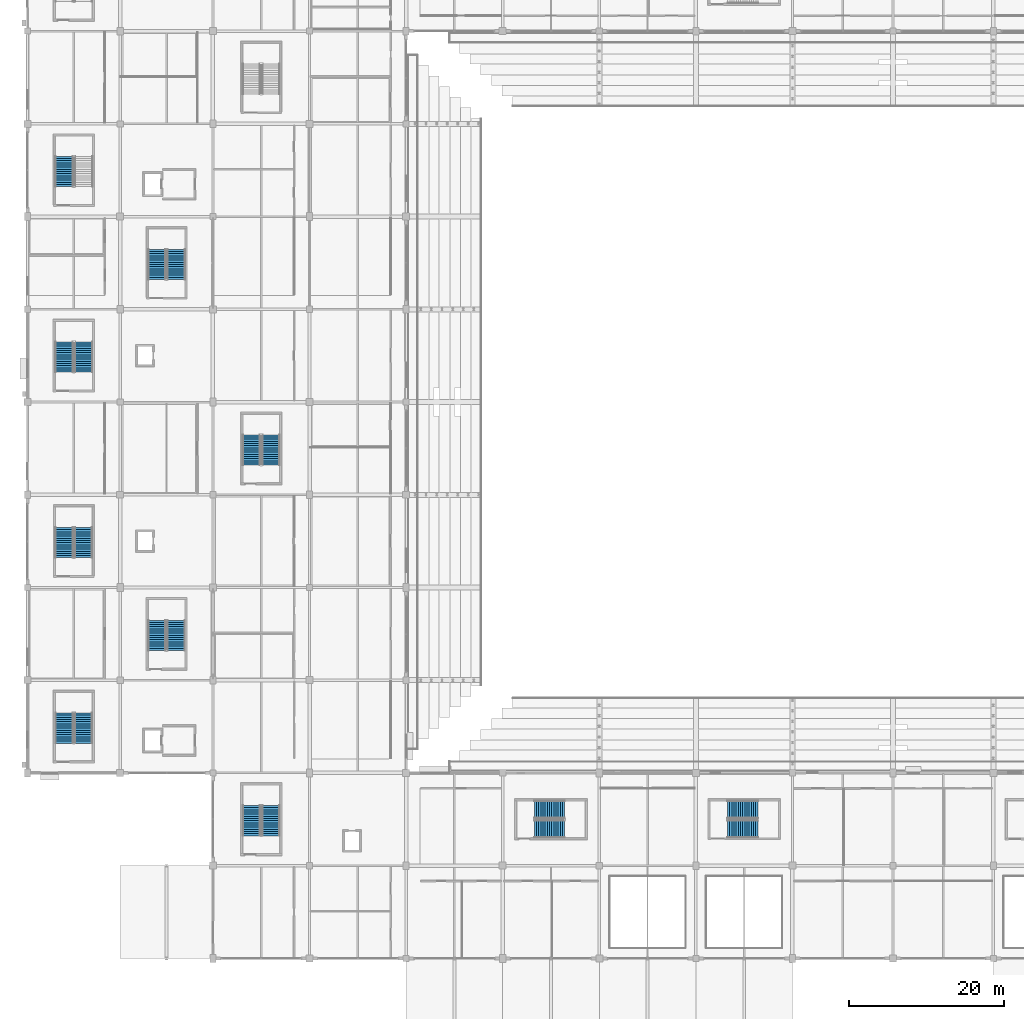
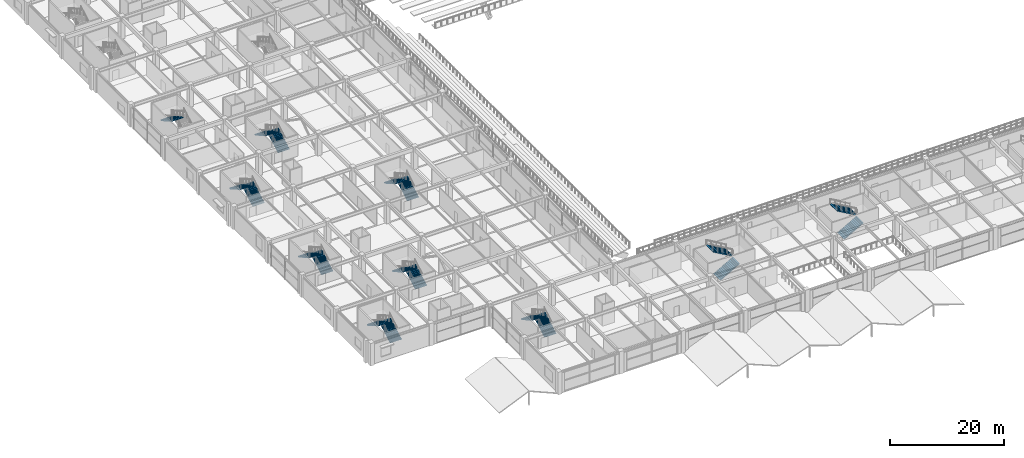
# One storey, part 94 of 134: 19 stair flights, 10 elements without a shape of their own.
"""IFC4 building model written with IfcOpenShell, lengths in metres."""

from ifc_helpers import new_model, si_unit, direction, frame, origin, place, context, subcontext, project, spatial, polyline, outline, extrude, material, type_object, element, aggregate, save


model = new_model("IFC4")

# Units and contexts
model_context = context("Model", 3, precision=1e-05, world=origin(), true_north=direction((0.0, 1.0)))
body_context = subcontext(model_context, "Body", "Model", "MODEL_VIEW")
ifc_project = project(units=[si_unit("LENGTHUNIT", "METRE"), si_unit("AREAUNIT", "SQUARE_METRE"), si_unit("VOLUMEUNIT", "CUBIC_METRE"), si_unit("PLANEANGLEUNIT", "RADIAN"), si_unit("MASSUNIT", "GRAM", prefix="KILO")], contexts=[model_context])

# Site, building, storey
site_placement = place(None, origin())
site = spatial("IfcSite", under=ifc_project, at=site_placement, CompositionType="ELEMENT")
building_placement = place(site_placement, origin())
building = spatial("IfcBuilding", under=site, at=building_placement, Name="Kazenohara Klinker Stadium", CompositionType="ELEMENT")
storey_placement = place(building_placement, frame((0.0, 0.0, 5.39990234375)))
storey = spatial("IfcBuildingStorey", under=building, at=storey_placement, Name="L01", CompositionType="ELEMENT", Elevation=5.39990234375)

# Stair, stair flights
ifc_material = material(Name="Concrete C40/50", Category="concrete")
stair_type_1 = type_object("IfcStairType", Name="STR-DL-2300", PredefinedType="HALF_TURN_STAIR", material=ifc_material)
stair_1_placement = place(storey_placement, origin())
stair_1 = element("IfcStair", 1, at=stair_1_placement, inside=storey, type_object=stair_type_1, Name="L01 Enclosed escape stair ST01", PredefinedType="HALF_TURN_STAIR")
stair_flight_type_1 = type_object("IfcStairFlightType", Name="FLT-DL-2300-4800", PredefinedType="STRAIGHT", material=ifc_material)
stair_flight_1_placement = place(storey_placement, frame((7.25, 39.840087890625, 0.0), z_axis=(0.0, 0.0, 1.0), x_axis=(0.0, 1.0, 0.0)))
stair_flight_1 = element("IfcStairFlight", 2, at=stair_flight_1_placement, type_object=stair_flight_type_1, Name="ST01 flight 1", NumberOfRisers=15, NumberOfTreads=14, PredefinedType="STRAIGHT", RiserHeight=0.16, TreadLength=0.28, context=body_context, shape_type="SweptSolid", body=[
    extrude(outline(polyline([(0.0, 0.0), (0.0, 0.159912109375), (0.280029296875, 0.159912109375), (0.280029296875, 0.320068359375), (0.56005859375, 0.320068359375), (0.56005859375, 0.47998046875), (0.840087890625, 0.47998046875), (0.840087890625, 0.639892578125), (1.1201171875, 0.639892578125), (1.1201171875, 0.800048828125), (1.39990234375, 0.800048828125), (1.39990234375, 0.9599609375), (1.679931640625, 0.9599609375), (1.679931640625, 1.1201171875), (1.9599609375, 1.1201171875), (1.9599609375, 1.280029296875), (2.239990234375, 1.280029296875), (2.239990234375, 1.43994140625), (2.52001953125, 1.43994140625), (2.52001953125, 1.60009765625), (2.800048828125, 1.60009765625), (2.800048828125, 1.760009765625), (3.080078125, 1.760009765625), (3.080078125, 1.919921875), (3.360107421875, 1.919921875), (3.360107421875, 2.080078125), (3.639892578125, 2.080078125), (3.639892578125, 2.239990234375), (3.919921875, 2.239990234375), (3.919921875, 2.39990234375), (3.919921875, 2.0673828125), (0.30224609375, 0.0), (0.0, 0.0)])), frame((0.0, 1.14990234375, 0.0), z_axis=(0.0, -1.0, 0.0), x_axis=(1.0, 0.0, 0.0)), (0.0, 0.0, 1.0), 2.300048828125),
])
stair_flight_2_placement = place(storey_placement, frame((4.75, 43.760009765625, 2.400146484375), z_axis=(0.0, 0.0, 1.0), x_axis=(0.0, -1.0, 0.0)))
stair_flight_2 = element("IfcStairFlight", 3, at=stair_flight_2_placement, type_object=stair_flight_type_1, Name="ST01 flight 2", NumberOfRisers=15, NumberOfTreads=14, PredefinedType="STRAIGHT", RiserHeight=0.16, TreadLength=0.28, context=body_context, shape_type="SweptSolid", body=[
    extrude(outline(polyline([(0.0, 0.0), (0.0, 0.159912109375), (0.280029296875, 0.159912109375), (0.280029296875, 0.320068359375), (0.56005859375, 0.320068359375), (0.56005859375, 0.47998046875), (0.840087890625, 0.47998046875), (0.840087890625, 0.639892578125), (1.1201171875, 0.639892578125), (1.1201171875, 0.800048828125), (1.39990234375, 0.800048828125), (1.39990234375, 0.9599609375), (1.679931640625, 0.9599609375), (1.679931640625, 1.1201171875), (1.9599609375, 1.1201171875), (1.9599609375, 1.280029296875), (2.239990234375, 1.280029296875), (2.239990234375, 1.43994140625), (2.52001953125, 1.43994140625), (2.52001953125, 1.60009765625), (2.800048828125, 1.60009765625), (2.800048828125, 1.760009765625), (3.080078125, 1.760009765625), (3.080078125, 1.919921875), (3.360107421875, 1.919921875), (3.360107421875, 2.080078125), (3.639892578125, 2.080078125), (3.639892578125, 2.239990234375), (3.919921875, 2.239990234375), (3.919921875, 2.39990234375), (3.919921875, 2.0673828125), (0.30224609375, 0.0), (0.0, 0.0)])), frame((0.0, 1.14990234375, 0.0), z_axis=(0.0, -1.0, 0.0), x_axis=(1.0, 0.0, 0.0)), (0.0, 0.0, 1.0), 2.300048828125),
])
aggregate(stair_1, [stair_flight_1, stair_flight_2])

stair_2_placement = place(storey_placement, origin())
stair_2 = element("IfcStair", 4, at=stair_2_placement, inside=storey, type_object=stair_type_1, Name="L01 Enclosed escape stair ST13", PredefinedType="HALF_TURN_STAIR")
stair_flight_3_placement = place(storey_placement, frame((19.25, 51.840087890625, 0.0), z_axis=(0.0, 0.0, 1.0), x_axis=(0.0, 1.0, 0.0)))
stair_flight_3 = element("IfcStairFlight", 5, at=stair_flight_3_placement, type_object=stair_flight_type_1, Name="ST13 flight 1", NumberOfRisers=15, NumberOfTreads=14, PredefinedType="STRAIGHT", RiserHeight=0.16, TreadLength=0.28, context=body_context, shape_type="SweptSolid", body=[
    extrude(outline(polyline([(0.0, 0.0), (0.0, 0.159912109375), (0.280029296875, 0.159912109375), (0.280029296875, 0.320068359375), (0.56005859375, 0.320068359375), (0.56005859375, 0.47998046875), (0.840087890625, 0.47998046875), (0.840087890625, 0.639892578125), (1.1201171875, 0.639892578125), (1.1201171875, 0.800048828125), (1.39990234375, 0.800048828125), (1.39990234375, 0.9599609375), (1.679931640625, 0.9599609375), (1.679931640625, 1.1201171875), (1.9599609375, 1.1201171875), (1.9599609375, 1.280029296875), (2.239990234375, 1.280029296875), (2.239990234375, 1.43994140625), (2.52001953125, 1.43994140625), (2.52001953125, 1.60009765625), (2.800048828125, 1.60009765625), (2.800048828125, 1.760009765625), (3.080078125, 1.760009765625), (3.080078125, 1.919921875), (3.360107421875, 1.919921875), (3.360107421875, 2.080078125), (3.639892578125, 2.080078125), (3.639892578125, 2.239990234375), (3.919921875, 2.239990234375), (3.919921875, 2.39990234375), (3.919921875, 2.0673828125), (0.30224609375, 0.0), (0.0, 0.0)])), frame((0.0, 1.14990234375, 0.0), z_axis=(0.0, -1.0, 0.0), x_axis=(1.0, 0.0, 0.0)), (0.0, 0.0, 1.0), 2.300048828125),
])
stair_flight_4_placement = place(storey_placement, frame((16.75, 55.760009765625, 2.400146484375), z_axis=(0.0, 0.0, 1.0), x_axis=(0.0, -1.0, 0.0)))
stair_flight_4 = element("IfcStairFlight", 6, at=stair_flight_4_placement, type_object=stair_flight_type_1, Name="ST13 flight 2", NumberOfRisers=15, NumberOfTreads=14, PredefinedType="STRAIGHT", RiserHeight=0.16, TreadLength=0.28, context=body_context, shape_type="SweptSolid", body=[
    extrude(outline(polyline([(0.0, 0.0), (0.0, 0.159912109375), (0.280029296875, 0.159912109375), (0.280029296875, 0.320068359375), (0.56005859375, 0.320068359375), (0.56005859375, 0.47998046875), (0.840087890625, 0.47998046875), (0.840087890625, 0.639892578125), (1.1201171875, 0.639892578125), (1.1201171875, 0.800048828125), (1.39990234375, 0.800048828125), (1.39990234375, 0.9599609375), (1.679931640625, 0.9599609375), (1.679931640625, 1.1201171875), (1.9599609375, 1.1201171875), (1.9599609375, 1.280029296875), (2.239990234375, 1.280029296875), (2.239990234375, 1.43994140625), (2.52001953125, 1.43994140625), (2.52001953125, 1.60009765625), (2.800048828125, 1.60009765625), (2.800048828125, 1.760009765625), (3.080078125, 1.760009765625), (3.080078125, 1.919921875), (3.360107421875, 1.919921875), (3.360107421875, 2.080078125), (3.639892578125, 2.080078125), (3.639892578125, 2.239990234375), (3.919921875, 2.239990234375), (3.919921875, 2.39990234375), (3.919921875, 2.0673828125), (0.30224609375, 0.0), (0.0, 0.0)])), frame((0.0, 1.14990234375, 0.0), z_axis=(0.0, -1.0, 0.0), x_axis=(1.0, 0.0, 0.0)), (0.0, 0.0, 1.0), 2.300048828125),
])
aggregate(stair_2, [stair_flight_3, stair_flight_4])

stair_3_placement = place(storey_placement, origin())
stair_3 = element("IfcStair", 7, at=stair_3_placement, inside=storey, type_object=stair_type_1, Name="L01 Enclosed escape stair ST17", PredefinedType="HALF_TURN_STAIR")
stair_flight_5_placement = place(storey_placement, frame((31.5, 75.840087890625, 0.0), z_axis=(0.0, 0.0, 1.0), x_axis=(0.0, 1.0, 0.0)))
stair_flight_5 = element("IfcStairFlight", 8, at=stair_flight_5_placement, type_object=stair_flight_type_1, Name="ST17 flight 1", NumberOfRisers=15, NumberOfTreads=14, PredefinedType="STRAIGHT", RiserHeight=0.16, TreadLength=0.28, context=body_context, shape_type="SweptSolid", body=[
    extrude(outline(polyline([(0.0, 0.0), (0.0, 0.159912109375), (0.280029296875, 0.159912109375), (0.280029296875, 0.320068359375), (0.56005859375, 0.320068359375), (0.56005859375, 0.47998046875), (0.840087890625, 0.47998046875), (0.840087890625, 0.639892578125), (1.1201171875, 0.639892578125), (1.1201171875, 0.800048828125), (1.39990234375, 0.800048828125), (1.39990234375, 0.9599609375), (1.679931640625, 0.9599609375), (1.679931640625, 1.1201171875), (1.9599609375, 1.1201171875), (1.9599609375, 1.280029296875), (2.239990234375, 1.280029296875), (2.239990234375, 1.43994140625), (2.52001953125, 1.43994140625), (2.52001953125, 1.60009765625), (2.800048828125, 1.60009765625), (2.800048828125, 1.760009765625), (3.080078125, 1.760009765625), (3.080078125, 1.919921875), (3.360107421875, 1.919921875), (3.360107421875, 2.080078125), (3.639892578125, 2.080078125), (3.639892578125, 2.239990234375), (3.919921875, 2.239990234375), (3.919921875, 2.39990234375), (3.919921875, 2.0673828125), (0.30224609375, 0.0), (0.0, 0.0)])), frame((0.0, 1.14990234375, 0.0), z_axis=(0.0, -1.0, 0.0), x_axis=(1.0, 0.0, 0.0)), (0.0, 0.0, 1.0), 2.300048828125),
])
stair_flight_6_placement = place(storey_placement, frame((29.0, 79.760009765625, 2.400146484375), z_axis=(0.0, 0.0, 1.0), x_axis=(0.0, -1.0, 0.0)))
stair_flight_6 = element("IfcStairFlight", 9, at=stair_flight_6_placement, type_object=stair_flight_type_1, Name="ST17 flight 2", NumberOfRisers=15, NumberOfTreads=14, PredefinedType="STRAIGHT", RiserHeight=0.16, TreadLength=0.28, context=body_context, shape_type="SweptSolid", body=[
    extrude(outline(polyline([(0.0, 0.0), (0.0, 0.159912109375), (0.280029296875, 0.159912109375), (0.280029296875, 0.320068359375), (0.56005859375, 0.320068359375), (0.56005859375, 0.47998046875), (0.840087890625, 0.47998046875), (0.840087890625, 0.639892578125), (1.1201171875, 0.639892578125), (1.1201171875, 0.800048828125), (1.39990234375, 0.800048828125), (1.39990234375, 0.9599609375), (1.679931640625, 0.9599609375), (1.679931640625, 1.1201171875), (1.9599609375, 1.1201171875), (1.9599609375, 1.280029296875), (2.239990234375, 1.280029296875), (2.239990234375, 1.43994140625), (2.52001953125, 1.43994140625), (2.52001953125, 1.60009765625), (2.800048828125, 1.60009765625), (2.800048828125, 1.760009765625), (3.080078125, 1.760009765625), (3.080078125, 1.919921875), (3.360107421875, 1.919921875), (3.360107421875, 2.080078125), (3.639892578125, 2.080078125), (3.639892578125, 2.239990234375), (3.919921875, 2.239990234375), (3.919921875, 2.39990234375), (3.919921875, 2.0673828125), (0.30224609375, 0.0), (0.0, 0.0)])), frame((0.0, 1.14990234375, 0.0), z_axis=(0.0, -1.0, 0.0), x_axis=(1.0, 0.0, 0.0)), (0.0, 0.0, 1.0), 2.300048828125),
])
aggregate(stair_3, [stair_flight_5, stair_flight_6])

stair_4_placement = place(storey_placement, origin())
stair_4 = element("IfcStair", 10, at=stair_4_placement, inside=storey, type_object=stair_type_1, Name="L01 Enclosed escape stair ST25", PredefinedType="HALF_TURN_STAIR")
stair_flight_7_placement = place(storey_placement, frame((65.590087890625, 28.75, 0.0), z_axis=(0.0, 0.0, 1.0), x_axis=(1.0, 0.0, 0.0)))
stair_flight_7 = element("IfcStairFlight", 11, at=stair_flight_7_placement, type_object=stair_flight_type_1, Name="ST25 flight 1", NumberOfRisers=15, NumberOfTreads=14, PredefinedType="STRAIGHT", RiserHeight=0.16, TreadLength=0.28, context=body_context, shape_type="SweptSolid", body=[
    extrude(outline(polyline([(0.0, 0.0), (0.0, 0.159912109375), (0.280029296875, 0.159912109375), (0.280029296875, 0.320068359375), (0.56005859375, 0.320068359375), (0.56005859375, 0.47998046875), (0.840087890625, 0.47998046875), (0.840087890625, 0.639892578125), (1.1201171875, 0.639892578125), (1.1201171875, 0.800048828125), (1.39990234375, 0.800048828125), (1.39990234375, 0.9599609375), (1.679931640625, 0.9599609375), (1.679931640625, 1.1201171875), (1.9599609375, 1.1201171875), (1.9599609375, 1.280029296875), (2.239990234375, 1.280029296875), (2.239990234375, 1.43994140625), (2.52001953125, 1.43994140625), (2.52001953125, 1.60009765625), (2.800048828125, 1.60009765625), (2.800048828125, 1.760009765625), (3.080078125, 1.760009765625), (3.080078125, 1.919921875), (3.360107421875, 1.919921875), (3.360107421875, 2.080078125), (3.639892578125, 2.080078125), (3.639892578125, 2.239990234375), (3.919921875, 2.239990234375), (3.919921875, 2.39990234375), (3.919921875, 2.0673828125), (0.30224609375, 0.0), (0.0, 0.0)])), frame((0.0, 1.14990234375, 0.0), z_axis=(0.0, -1.0, 0.0), x_axis=(1.0, 0.0, 0.0)), (0.0, 0.0, 1.0), 2.300048828125),
])
stair_flight_8_placement = place(storey_placement, frame((69.510009765625, 31.25, 2.400146484375), z_axis=(0.0, 0.0, 1.0), x_axis=(-1.0, 0.0, 0.0)))
stair_flight_8 = element("IfcStairFlight", 12, at=stair_flight_8_placement, type_object=stair_flight_type_1, Name="ST25 flight 2", NumberOfRisers=15, NumberOfTreads=14, PredefinedType="STRAIGHT", RiserHeight=0.16, TreadLength=0.28, context=body_context, shape_type="SweptSolid", body=[
    extrude(outline(polyline([(0.0, 0.0), (0.0, 0.159912109375), (0.280029296875, 0.159912109375), (0.280029296875, 0.320068359375), (0.56005859375, 0.320068359375), (0.56005859375, 0.47998046875), (0.840087890625, 0.47998046875), (0.840087890625, 0.639892578125), (1.1201171875, 0.639892578125), (1.1201171875, 0.800048828125), (1.39990234375, 0.800048828125), (1.39990234375, 0.9599609375), (1.679931640625, 0.9599609375), (1.679931640625, 1.1201171875), (1.9599609375, 1.1201171875), (1.9599609375, 1.280029296875), (2.239990234375, 1.280029296875), (2.239990234375, 1.43994140625), (2.52001953125, 1.43994140625), (2.52001953125, 1.60009765625), (2.800048828125, 1.60009765625), (2.800048828125, 1.760009765625), (3.080078125, 1.760009765625), (3.080078125, 1.919921875), (3.360107421875, 1.919921875), (3.360107421875, 2.080078125), (3.639892578125, 2.080078125), (3.639892578125, 2.239990234375), (3.919921875, 2.239990234375), (3.919921875, 2.39990234375), (3.919921875, 2.0673828125), (0.30224609375, 0.0), (0.0, 0.0)])), frame((0.0, 1.14990234375, 0.0), z_axis=(0.0, -1.0, 0.0), x_axis=(1.0, 0.0, 0.0)), (0.0, 0.0, 1.0), 2.300048828125),
])
aggregate(stair_4, [stair_flight_7, stair_flight_8])

stair_type_2 = type_object("IfcStairType", Name="STR-DL-2310", PredefinedType="HALF_TURN_STAIR", material=ifc_material)
stair_5_placement = place(storey_placement, origin())
stair_5 = element("IfcStair", 13, at=stair_5_placement, inside=storey, type_object=stair_type_2, Name="L01 Enclosed escape stair ST02", PredefinedType="HALF_TURN_STAIR")
stair_flight_type_2 = type_object("IfcStairFlightType", Name="FLT-DL-2310-4800", PredefinedType="STRAIGHT", material=ifc_material)
stair_flight_9_placement = place(storey_placement, frame((7.2548828125, 63.85009765625, 0.0), z_axis=(0.0, 0.0, 1.0), x_axis=(0.0, 1.0, 0.0)))
stair_flight_9 = element("IfcStairFlight", 14, at=stair_flight_9_placement, type_object=stair_flight_type_2, Name="ST02 flight 1", NumberOfRisers=15, NumberOfTreads=14, PredefinedType="STRAIGHT", RiserHeight=0.16, TreadLength=0.28, context=body_context, shape_type="SweptSolid", body=[
    extrude(outline(polyline([(0.0, 0.0), (0.0, 0.159912109375), (0.280029296875, 0.159912109375), (0.280029296875, 0.320068359375), (0.56005859375, 0.320068359375), (0.56005859375, 0.47998046875), (0.840087890625, 0.47998046875), (0.840087890625, 0.639892578125), (1.1201171875, 0.639892578125), (1.1201171875, 0.800048828125), (1.39990234375, 0.800048828125), (1.39990234375, 0.9599609375), (1.679931640625, 0.9599609375), (1.679931640625, 1.1201171875), (1.9599609375, 1.1201171875), (1.9599609375, 1.280029296875), (2.239990234375, 1.280029296875), (2.239990234375, 1.43994140625), (2.52001953125, 1.43994140625), (2.52001953125, 1.60009765625), (2.800048828125, 1.60009765625), (2.800048828125, 1.760009765625), (3.080078125, 1.760009765625), (3.080078125, 1.919921875), (3.360107421875, 1.919921875), (3.360107421875, 2.080078125), (3.639892578125, 2.080078125), (3.639892578125, 2.239990234375), (3.919921875, 2.239990234375), (3.919921875, 2.39990234375), (3.919921875, 2.0673828125), (0.30224609375, 0.0), (0.0, 0.0)])), frame((0.0, 1.155029296875, 0.0), z_axis=(0.0, -1.0, 0.0), x_axis=(1.0, 0.0, 0.0)), (0.0, 0.0, 1.0), 2.31005859375),
])
stair_flight_10_placement = place(storey_placement, frame((4.7451171875, 67.77001953125, 2.400146484375), z_axis=(0.0, 0.0, 1.0), x_axis=(0.0, -1.0, 0.0)))
stair_flight_10 = element("IfcStairFlight", 15, at=stair_flight_10_placement, type_object=stair_flight_type_2, Name="ST02 flight 2", NumberOfRisers=15, NumberOfTreads=14, PredefinedType="STRAIGHT", RiserHeight=0.16, TreadLength=0.28, context=body_context, shape_type="SweptSolid", body=[
    extrude(outline(polyline([(0.0, 0.0), (0.0, 0.159912109375), (0.280029296875, 0.159912109375), (0.280029296875, 0.320068359375), (0.56005859375, 0.320068359375), (0.56005859375, 0.47998046875), (0.840087890625, 0.47998046875), (0.840087890625, 0.639892578125), (1.1201171875, 0.639892578125), (1.1201171875, 0.800048828125), (1.39990234375, 0.800048828125), (1.39990234375, 0.9599609375), (1.679931640625, 0.9599609375), (1.679931640625, 1.1201171875), (1.9599609375, 1.1201171875), (1.9599609375, 1.280029296875), (2.239990234375, 1.280029296875), (2.239990234375, 1.43994140625), (2.52001953125, 1.43994140625), (2.52001953125, 1.60009765625), (2.800048828125, 1.60009765625), (2.800048828125, 1.760009765625), (3.080078125, 1.760009765625), (3.080078125, 1.919921875), (3.360107421875, 1.919921875), (3.360107421875, 2.080078125), (3.639892578125, 2.080078125), (3.639892578125, 2.239990234375), (3.919921875, 2.239990234375), (3.919921875, 2.39990234375), (3.919921875, 2.0673828125), (0.30224609375, 0.0), (0.0, 0.0)])), frame((0.0, 1.155029296875, 0.0), z_axis=(0.0, -1.0, 0.0), x_axis=(1.0, 0.0, 0.0)), (0.0, 0.0, 1.0), 2.31005859375),
])
aggregate(stair_5, [stair_flight_9, stair_flight_10])

stair_6_placement = place(storey_placement, origin())
stair_6 = element("IfcStair", 16, at=stair_6_placement, inside=storey, type_object=stair_type_2, Name="L01 Enclosed escape stair ST14", PredefinedType="HALF_TURN_STAIR")
stair_flight_11_placement = place(storey_placement, frame((19.2548828125, 99.85009765625, 0.0), z_axis=(0.0, 0.0, 1.0), x_axis=(0.0, 1.0, 0.0)))
stair_flight_11 = element("IfcStairFlight", 17, at=stair_flight_11_placement, type_object=stair_flight_type_2, Name="ST14 flight 1", NumberOfRisers=15, NumberOfTreads=14, PredefinedType="STRAIGHT", RiserHeight=0.16, TreadLength=0.28, context=body_context, shape_type="SweptSolid", body=[
    extrude(outline(polyline([(0.0, 0.0), (0.0, 0.159912109375), (0.280029296875, 0.159912109375), (0.280029296875, 0.320068359375), (0.56005859375, 0.320068359375), (0.56005859375, 0.47998046875), (0.840087890625, 0.47998046875), (0.840087890625, 0.639892578125), (1.1201171875, 0.639892578125), (1.1201171875, 0.800048828125), (1.39990234375, 0.800048828125), (1.39990234375, 0.9599609375), (1.679931640625, 0.9599609375), (1.679931640625, 1.1201171875), (1.9599609375, 1.1201171875), (1.9599609375, 1.280029296875), (2.239990234375, 1.280029296875), (2.239990234375, 1.43994140625), (2.52001953125, 1.43994140625), (2.52001953125, 1.60009765625), (2.800048828125, 1.60009765625), (2.800048828125, 1.760009765625), (3.080078125, 1.760009765625), (3.080078125, 1.919921875), (3.360107421875, 1.919921875), (3.360107421875, 2.080078125), (3.639892578125, 2.080078125), (3.639892578125, 2.239990234375), (3.919921875, 2.239990234375), (3.919921875, 2.39990234375), (3.919921875, 2.0673828125), (0.30224609375, 0.0), (0.0, 0.0)])), frame((0.0, 1.155029296875, 0.0), z_axis=(0.0, -1.0, 0.0), x_axis=(1.0, 0.0, 0.0)), (0.0, 0.0, 1.0), 2.31005859375),
])
stair_flight_12_placement = place(storey_placement, frame((16.7451171875, 103.77001953125, 2.400146484375), z_axis=(0.0, 0.0, 1.0), x_axis=(0.0, -1.0, 0.0)))
stair_flight_12 = element("IfcStairFlight", 18, at=stair_flight_12_placement, type_object=stair_flight_type_2, Name="ST14 flight 2", NumberOfRisers=15, NumberOfTreads=14, PredefinedType="STRAIGHT", RiserHeight=0.16, TreadLength=0.28, context=body_context, shape_type="SweptSolid", body=[
    extrude(outline(polyline([(0.0, 0.0), (0.0, 0.159912109375), (0.280029296875, 0.159912109375), (0.280029296875, 0.320068359375), (0.56005859375, 0.320068359375), (0.56005859375, 0.47998046875), (0.840087890625, 0.47998046875), (0.840087890625, 0.639892578125), (1.1201171875, 0.639892578125), (1.1201171875, 0.800048828125), (1.39990234375, 0.800048828125), (1.39990234375, 0.9599609375), (1.679931640625, 0.9599609375), (1.679931640625, 1.1201171875), (1.9599609375, 1.1201171875), (1.9599609375, 1.280029296875), (2.239990234375, 1.280029296875), (2.239990234375, 1.43994140625), (2.52001953125, 1.43994140625), (2.52001953125, 1.60009765625), (2.800048828125, 1.60009765625), (2.800048828125, 1.760009765625), (3.080078125, 1.760009765625), (3.080078125, 1.919921875), (3.360107421875, 1.919921875), (3.360107421875, 2.080078125), (3.639892578125, 2.080078125), (3.639892578125, 2.239990234375), (3.919921875, 2.239990234375), (3.919921875, 2.39990234375), (3.919921875, 2.0673828125), (0.30224609375, 0.0), (0.0, 0.0)])), frame((0.0, 1.155029296875, 0.0), z_axis=(0.0, -1.0, 0.0), x_axis=(1.0, 0.0, 0.0)), (0.0, 0.0, 1.0), 2.31005859375),
])
aggregate(stair_6, [stair_flight_11, stair_flight_12])

stair_7_placement = place(storey_placement, origin())
stair_7 = element("IfcStair", 19, at=stair_7_placement, inside=storey, type_object=stair_type_2, Name="L01 Enclosed escape stair ST26", PredefinedType="HALF_TURN_STAIR")
stair_flight_13_placement = place(storey_placement, frame((90.60009765625, 28.7451171875, 0.0), z_axis=(0.0, 0.0, 1.0), x_axis=(1.0, 0.0, 0.0)))
stair_flight_13 = element("IfcStairFlight", 20, at=stair_flight_13_placement, type_object=stair_flight_type_2, Name="ST26 flight 1", NumberOfRisers=15, NumberOfTreads=14, PredefinedType="STRAIGHT", RiserHeight=0.16, TreadLength=0.28, context=body_context, shape_type="SweptSolid", body=[
    extrude(outline(polyline([(0.0, 0.0), (0.0, 0.159912109375), (0.280029296875, 0.159912109375), (0.280029296875, 0.320068359375), (0.56005859375, 0.320068359375), (0.56005859375, 0.47998046875), (0.840087890625, 0.47998046875), (0.840087890625, 0.639892578125), (1.1201171875, 0.639892578125), (1.1201171875, 0.800048828125), (1.39990234375, 0.800048828125), (1.39990234375, 0.9599609375), (1.679931640625, 0.9599609375), (1.679931640625, 1.1201171875), (1.9599609375, 1.1201171875), (1.9599609375, 1.280029296875), (2.239990234375, 1.280029296875), (2.239990234375, 1.43994140625), (2.52001953125, 1.43994140625), (2.52001953125, 1.60009765625), (2.800048828125, 1.60009765625), (2.800048828125, 1.760009765625), (3.080078125, 1.760009765625), (3.080078125, 1.919921875), (3.360107421875, 1.919921875), (3.360107421875, 2.080078125), (3.639892578125, 2.080078125), (3.639892578125, 2.239990234375), (3.919921875, 2.239990234375), (3.919921875, 2.39990234375), (3.919921875, 2.0673828125), (0.30224609375, 0.0), (0.0, 0.0)])), frame((0.0, 1.155029296875, 0.0), z_axis=(0.0, -1.0, 0.0), x_axis=(1.0, 0.0, 0.0)), (0.0, 0.0, 1.0), 2.31005859375),
])
stair_flight_14_placement = place(storey_placement, frame((94.52001953125, 31.2548828125, 2.400146484375), z_axis=(0.0, 0.0, 1.0), x_axis=(-1.0, 0.0, 0.0)))
stair_flight_14 = element("IfcStairFlight", 21, at=stair_flight_14_placement, type_object=stair_flight_type_2, Name="ST26 flight 2", NumberOfRisers=15, NumberOfTreads=14, PredefinedType="STRAIGHT", RiserHeight=0.16, TreadLength=0.28, context=body_context, shape_type="SweptSolid", body=[
    extrude(outline(polyline([(0.0, 0.0), (0.0, 0.159912109375), (0.280029296875, 0.159912109375), (0.280029296875, 0.320068359375), (0.56005859375, 0.320068359375), (0.56005859375, 0.47998046875), (0.840087890625, 0.47998046875), (0.840087890625, 0.639892578125), (1.1201171875, 0.639892578125), (1.1201171875, 0.800048828125), (1.39990234375, 0.800048828125), (1.39990234375, 0.9599609375), (1.679931640625, 0.9599609375), (1.679931640625, 1.1201171875), (1.9599609375, 1.1201171875), (1.9599609375, 1.280029296875), (2.239990234375, 1.280029296875), (2.239990234375, 1.43994140625), (2.52001953125, 1.43994140625), (2.52001953125, 1.60009765625), (2.800048828125, 1.60009765625), (2.800048828125, 1.760009765625), (3.080078125, 1.760009765625), (3.080078125, 1.919921875), (3.360107421875, 1.919921875), (3.360107421875, 2.080078125), (3.639892578125, 2.080078125), (3.639892578125, 2.239990234375), (3.919921875, 2.239990234375), (3.919921875, 2.39990234375), (3.919921875, 2.0673828125), (0.30224609375, 0.0), (0.0, 0.0)])), frame((0.0, 1.155029296875, 0.0), z_axis=(0.0, -1.0, 0.0), x_axis=(1.0, 0.0, 0.0)), (0.0, 0.0, 1.0), 2.31005859375),
])
aggregate(stair_7, [stair_flight_13, stair_flight_14])

stair_type_3 = type_object("IfcStairType", Name="STR-DL-2330", PredefinedType="HALF_TURN_STAIR", material=ifc_material)
stair_8_placement = place(storey_placement, origin())
stair_8 = element("IfcStair", 22, at=stair_8_placement, inside=storey, type_object=stair_type_3, Name="L01 Enclosed escape stair ST03", PredefinedType="HALF_TURN_STAIR")
stair_flight_type_3 = type_object("IfcStairFlightType", Name="FLT-DL-2330-4800", PredefinedType="STRAIGHT", material=ifc_material)
stair_flight_15_placement = place(storey_placement, frame((7.264892578125, 87.8701171875, 0.0), z_axis=(0.0, 0.0, 1.0), x_axis=(0.0, 1.0, 0.0)))
stair_flight_15 = element("IfcStairFlight", 23, at=stair_flight_15_placement, type_object=stair_flight_type_3, Name="ST03 flight 1", NumberOfRisers=15, NumberOfTreads=14, PredefinedType="STRAIGHT", RiserHeight=0.16, TreadLength=0.28, context=body_context, shape_type="SweptSolid", body=[
    extrude(outline(polyline([(0.0, 0.0), (0.0, 0.159912109375), (0.280029296875, 0.159912109375), (0.280029296875, 0.320068359375), (0.56005859375, 0.320068359375), (0.56005859375, 0.47998046875), (0.840087890625, 0.47998046875), (0.840087890625, 0.639892578125), (1.1201171875, 0.639892578125), (1.1201171875, 0.800048828125), (1.39990234375, 0.800048828125), (1.39990234375, 0.9599609375), (1.679931640625, 0.9599609375), (1.679931640625, 1.1201171875), (1.9599609375, 1.1201171875), (1.9599609375, 1.280029296875), (2.239990234375, 1.280029296875), (2.239990234375, 1.43994140625), (2.52001953125, 1.43994140625), (2.52001953125, 1.60009765625), (2.800048828125, 1.60009765625), (2.800048828125, 1.760009765625), (3.080078125, 1.760009765625), (3.080078125, 1.919921875), (3.360107421875, 1.919921875), (3.360107421875, 2.080078125), (3.639892578125, 2.080078125), (3.639892578125, 2.239990234375), (3.919921875, 2.239990234375), (3.919921875, 2.39990234375), (3.919921875, 2.0673828125), (0.30224609375, 0.0), (0.0, 0.0)])), frame((0.0, 1.1650390625, 0.0), z_axis=(0.0, -1.0, 0.0), x_axis=(1.0, 0.0, 0.0)), (0.0, 0.0, 1.0), 2.330078125),
])
stair_flight_16_placement = place(storey_placement, frame((4.735107421875, 91.7900390625, 2.400146484375), z_axis=(0.0, 0.0, 1.0), x_axis=(0.0, -1.0, 0.0)))
stair_flight_16 = element("IfcStairFlight", 24, at=stair_flight_16_placement, type_object=stair_flight_type_3, Name="ST03 flight 2", NumberOfRisers=15, NumberOfTreads=14, PredefinedType="STRAIGHT", RiserHeight=0.16, TreadLength=0.28, context=body_context, shape_type="SweptSolid", body=[
    extrude(outline(polyline([(0.0, 0.0), (0.0, 0.159912109375), (0.280029296875, 0.159912109375), (0.280029296875, 0.320068359375), (0.56005859375, 0.320068359375), (0.56005859375, 0.47998046875), (0.840087890625, 0.47998046875), (0.840087890625, 0.639892578125), (1.1201171875, 0.639892578125), (1.1201171875, 0.800048828125), (1.39990234375, 0.800048828125), (1.39990234375, 0.9599609375), (1.679931640625, 0.9599609375), (1.679931640625, 1.1201171875), (1.9599609375, 1.1201171875), (1.9599609375, 1.280029296875), (2.239990234375, 1.280029296875), (2.239990234375, 1.43994140625), (2.52001953125, 1.43994140625), (2.52001953125, 1.60009765625), (2.800048828125, 1.60009765625), (2.800048828125, 1.760009765625), (3.080078125, 1.760009765625), (3.080078125, 1.919921875), (3.360107421875, 1.919921875), (3.360107421875, 2.080078125), (3.639892578125, 2.080078125), (3.639892578125, 2.239990234375), (3.919921875, 2.239990234375), (3.919921875, 2.39990234375), (3.919921875, 2.0673828125), (0.30224609375, 0.0), (0.0, 0.0)])), frame((0.0, 1.1650390625, 0.0), z_axis=(0.0, -1.0, 0.0), x_axis=(1.0, 0.0, 0.0)), (0.0, 0.0, 1.0), 2.330078125),
])
aggregate(stair_8, [stair_flight_15, stair_flight_16])

stair_9_placement = place(storey_placement, origin())
stair_9 = element("IfcStair", 25, at=stair_9_placement, inside=storey, type_object=stair_type_3, Name="L01 Enclosed escape stair ST07", PredefinedType="HALF_TURN_STAIR")
stair_flight_17_placement = place(storey_placement, frame((31.514892578125, 27.8701171875, 0.0), z_axis=(0.0, 0.0, 1.0), x_axis=(0.0, 1.0, 0.0)))
stair_flight_17 = element("IfcStairFlight", 26, at=stair_flight_17_placement, type_object=stair_flight_type_3, Name="ST07 flight 1", NumberOfRisers=15, NumberOfTreads=14, PredefinedType="STRAIGHT", RiserHeight=0.16, TreadLength=0.28, context=body_context, shape_type="SweptSolid", body=[
    extrude(outline(polyline([(0.0, 0.0), (0.0, 0.159912109375), (0.280029296875, 0.159912109375), (0.280029296875, 0.320068359375), (0.56005859375, 0.320068359375), (0.56005859375, 0.47998046875), (0.840087890625, 0.47998046875), (0.840087890625, 0.639892578125), (1.1201171875, 0.639892578125), (1.1201171875, 0.800048828125), (1.39990234375, 0.800048828125), (1.39990234375, 0.9599609375), (1.679931640625, 0.9599609375), (1.679931640625, 1.1201171875), (1.9599609375, 1.1201171875), (1.9599609375, 1.280029296875), (2.239990234375, 1.280029296875), (2.239990234375, 1.43994140625), (2.52001953125, 1.43994140625), (2.52001953125, 1.60009765625), (2.800048828125, 1.60009765625), (2.800048828125, 1.760009765625), (3.080078125, 1.760009765625), (3.080078125, 1.919921875), (3.360107421875, 1.919921875), (3.360107421875, 2.080078125), (3.639892578125, 2.080078125), (3.639892578125, 2.239990234375), (3.919921875, 2.239990234375), (3.919921875, 2.39990234375), (3.919921875, 2.0673828125), (0.30224609375, 0.0), (0.0, 0.0)])), frame((0.0, 1.1650390625, 0.0), z_axis=(0.0, -1.0, 0.0), x_axis=(1.0, 0.0, 0.0)), (0.0, 0.0, 1.0), 2.330078125),
])
stair_flight_18_placement = place(storey_placement, frame((28.985107421875, 31.7900390625, 2.400146484375), z_axis=(0.0, 0.0, 1.0), x_axis=(0.0, -1.0, 0.0)))
stair_flight_18 = element("IfcStairFlight", 27, at=stair_flight_18_placement, type_object=stair_flight_type_3, Name="ST07 flight 2", NumberOfRisers=15, NumberOfTreads=14, PredefinedType="STRAIGHT", RiserHeight=0.16, TreadLength=0.28, context=body_context, shape_type="SweptSolid", body=[
    extrude(outline(polyline([(0.0, 0.0), (0.0, 0.159912109375), (0.280029296875, 0.159912109375), (0.280029296875, 0.320068359375), (0.56005859375, 0.320068359375), (0.56005859375, 0.47998046875), (0.840087890625, 0.47998046875), (0.840087890625, 0.639892578125), (1.1201171875, 0.639892578125), (1.1201171875, 0.800048828125), (1.39990234375, 0.800048828125), (1.39990234375, 0.9599609375), (1.679931640625, 0.9599609375), (1.679931640625, 1.1201171875), (1.9599609375, 1.1201171875), (1.9599609375, 1.280029296875), (2.239990234375, 1.280029296875), (2.239990234375, 1.43994140625), (2.52001953125, 1.43994140625), (2.52001953125, 1.60009765625), (2.800048828125, 1.60009765625), (2.800048828125, 1.760009765625), (3.080078125, 1.760009765625), (3.080078125, 1.919921875), (3.360107421875, 1.919921875), (3.360107421875, 2.080078125), (3.639892578125, 2.080078125), (3.639892578125, 2.239990234375), (3.919921875, 2.239990234375), (3.919921875, 2.39990234375), (3.919921875, 2.0673828125), (0.30224609375, 0.0), (0.0, 0.0)])), frame((0.0, 1.1650390625, 0.0), z_axis=(0.0, -1.0, 0.0), x_axis=(1.0, 0.0, 0.0)), (0.0, 0.0, 1.0), 2.330078125),
])
aggregate(stair_9, [stair_flight_17, stair_flight_18])

# Stair, stair flight
stair_type_4 = type_object("IfcStairType", Name="STR-DL-2340", PredefinedType="HALF_TURN_STAIR", material=ifc_material)
stair_10_placement = place(storey_placement, origin())
stair_10 = element("IfcStair", 28, at=stair_10_placement, inside=storey, type_object=stair_type_4, Name="L01 Enclosed escape stair ST04", PredefinedType="HALF_TURN_STAIR")
stair_flight_type_4 = type_object("IfcStairFlightType", Name="FLT-DL-2340-4800", PredefinedType="STRAIGHT", material=ifc_material)
stair_flight_19_placement = place(storey_placement, frame((4.72998046875, 115.800048828125, 2.400146484375), z_axis=(0.0, 0.0, 1.0), x_axis=(0.0, -1.0, 0.0)))
stair_flight_19 = element("IfcStairFlight", 29, at=stair_flight_19_placement, type_object=stair_flight_type_4, Name="ST04 flight 2", NumberOfRisers=15, NumberOfTreads=14, PredefinedType="STRAIGHT", RiserHeight=0.16, TreadLength=0.28, context=body_context, shape_type="SweptSolid", body=[
    extrude(outline(polyline([(0.0, 0.0), (0.0, 0.159912109375), (0.280029296875, 0.159912109375), (0.280029296875, 0.320068359375), (0.56005859375, 0.320068359375), (0.56005859375, 0.47998046875), (0.840087890625, 0.47998046875), (0.840087890625, 0.639892578125), (1.1201171875, 0.639892578125), (1.1201171875, 0.800048828125), (1.39990234375, 0.800048828125), (1.39990234375, 0.9599609375), (1.679931640625, 0.9599609375), (1.679931640625, 1.1201171875), (1.9599609375, 1.1201171875), (1.9599609375, 1.280029296875), (2.239990234375, 1.280029296875), (2.239990234375, 1.43994140625), (2.52001953125, 1.43994140625), (2.52001953125, 1.60009765625), (2.800048828125, 1.60009765625), (2.800048828125, 1.760009765625), (3.080078125, 1.760009765625), (3.080078125, 1.919921875), (3.360107421875, 1.919921875), (3.360107421875, 2.080078125), (3.639892578125, 2.080078125), (3.639892578125, 2.239990234375), (3.919921875, 2.239990234375), (3.919921875, 2.39990234375), (3.919921875, 2.0673828125), (0.30224609375, 0.0), (0.0, 0.0)])), frame((0.0, 1.169921875, 0.0), z_axis=(0.0, -1.0, 0.0), x_axis=(1.0, 0.0, 0.0)), (0.0, 0.0, 1.0), 2.340087890625),
])
aggregate(stair_10, [stair_flight_19])

save(model, "model.ifc")
